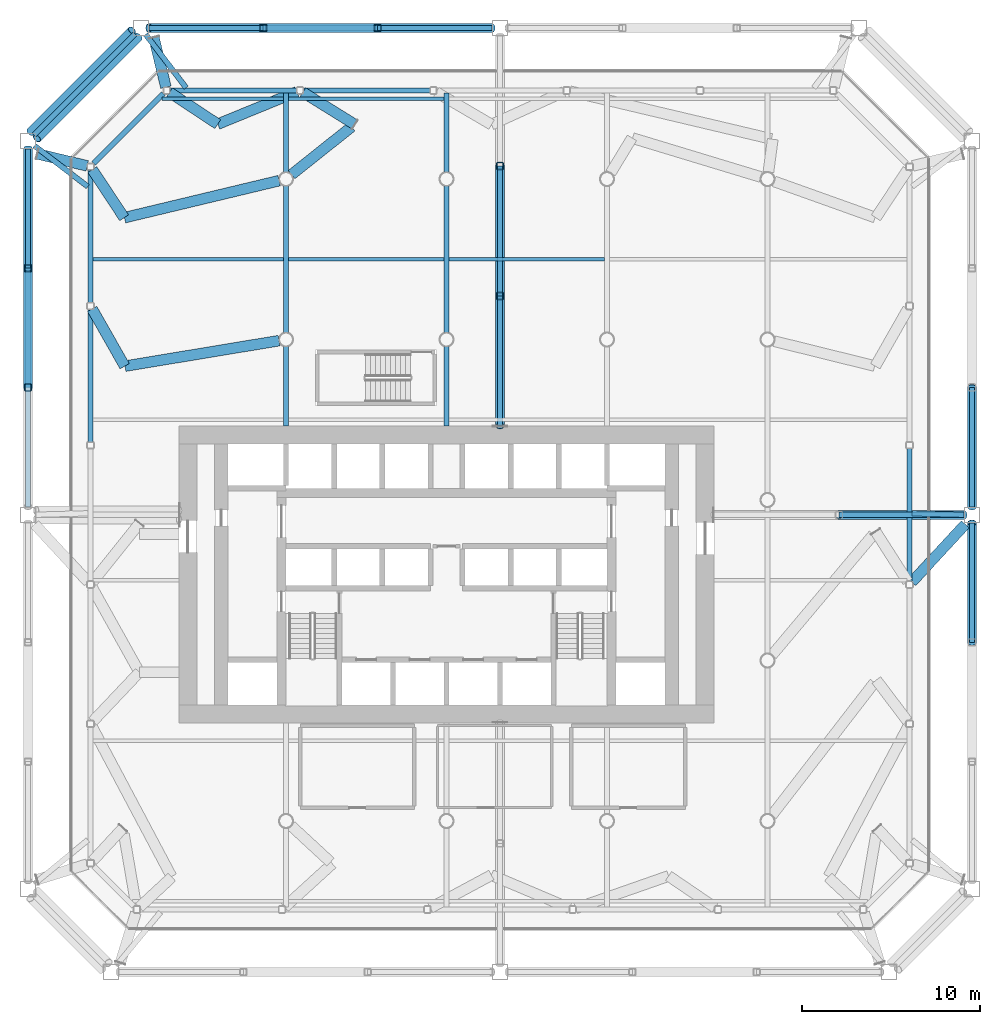
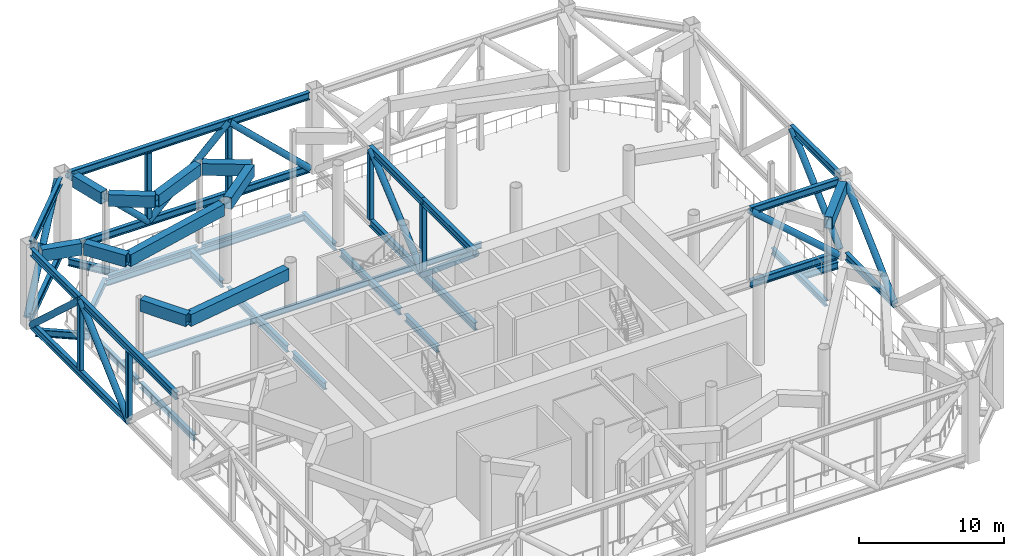
# One storey, part 5 of 20: 48 beams, 18 members.
"""IFC4 building model written with IfcOpenShell, lengths in metres."""

import ifcopenshell
import ifcopenshell.guid

model = None  # the IFC model being written
_history = None  # IfcOwnerHistory: only IFC2X3 demands one
_inside = {}  # id of a spatial element -> (the spatial element, [elements in it])
_under = {}  # id of a project, library or spatial element -> (it, [spatial elements below it])
_declared = {}  # id of a project -> (the project, [libraries it declares])
_typed = {}  # id of a type object -> (the type object, [elements of that type])
_made_of = {}  # id of a material, layer set ... -> (it, [elements and type objects made of it])


def new_model(schema):
    """Start an empty IFC model of exactly this schema.

    Asked for "IFC4X3", IfcOpenShell would pick the latest addendum, in which some entities
    have other attributes; the version numbers below select the first issue.
    IFC2X3 requires an IfcOwnerHistory on every rooted entity: one is made here for all.
    """
    global model, _history
    if schema == "IFC4X3":
        model = ifcopenshell.file(schema_version=(4, 3, 0, 0))
    else:
        model = ifcopenshell.file(schema=schema)
    _inside.clear()
    _under.clear()
    _declared.clear()
    _typed.clear()
    _made_of.clear()
    _history = None
    if model.schema == "IFC2X3":
        org = make("IfcOrganization", Name="unknown")
        user = make(
            "IfcPersonAndOrganization",
            ThePerson=make("IfcPerson", FamilyName="unknown"),
            TheOrganization=org,
        )
        app = make(
            "IfcApplication",
            ApplicationDeveloper=org,
            Version="unknown",
            ApplicationFullName="unknown",
            ApplicationIdentifier="unknown",
        )
        _history = make(
            "IfcOwnerHistory",
            OwningUser=user,
            OwningApplication=app,
            ChangeAction="ADDED",
            CreationDate=0,
        )
    return model


def make(cls, **values):
    """One entity of the class cls with the attributes given. An attribute that is None is left unset."""
    return model.create_entity(
        cls, **{name: value for name, value in values.items() if value is not None}
    )


def rooted(cls, **values):
    """An entity with a GlobalId (a new one), such as an element, a storey or a relation."""
    return make(cls, GlobalId=ifcopenshell.guid.new(), OwnerHistory=_history, **values)


def si_unit(unit_type, name, prefix=None):
    """IfcSIUnit, for example si_unit("LENGTHUNIT", "METRE", prefix="MILLI")."""
    return make("IfcSIUnit", UnitType=unit_type, Prefix=prefix, Name=name)


def assignment(units):
    """IfcUnitAssignment: the units of a project."""
    return None if units is None else make("IfcUnitAssignment", Units=units)


def point(xyz):
    """IfcCartesianPoint."""
    return None if xyz is None else make("IfcCartesianPoint", Coordinates=xyz)


def direction(xyz):
    """IfcDirection."""
    return None if xyz is None else make("IfcDirection", DirectionRatios=xyz)


def frame(location, z_axis=None, x_axis=None):
    """IfcAxis2Placement3D, a coordinate frame: its origin and axes. An axis left out is left unset."""
    return make(
        "IfcAxis2Placement3D",
        Location=point(location),
        Axis=direction(z_axis),
        RefDirection=direction(x_axis),
    )


def frame_2d(location, x_axis=None):
    """IfcAxis2Placement2D, a coordinate frame in the plane: its origin and x axis."""
    return make(
        "IfcAxis2Placement2D", Location=point(location), RefDirection=direction(x_axis)
    )


def origin():
    """The frame at (0, 0, 0) with its axes left unset."""
    return frame((0.0, 0.0, 0.0))


def origin_2d():
    """The frame at (0, 0) in the plane with its x axis left unset."""
    return frame_2d((0.0, 0.0))


def place(relative_to, where):
    """IfcLocalPlacement: puts the frame where relative to a parent placement (None: the world)."""
    return make(
        "IfcLocalPlacement", PlacementRelTo=relative_to, RelativePlacement=where
    )


def context(
    kind, dimensions, precision=None, world=None, true_north=None, identifier=None
):
    """IfcGeometricRepresentationContext, for example the 3D "Model" context."""
    return make(
        "IfcGeometricRepresentationContext",
        ContextIdentifier=identifier,
        ContextType=kind,
        CoordinateSpaceDimension=dimensions,
        Precision=precision,
        WorldCoordinateSystem=world,
        TrueNorth=true_north,
    )


def subcontext(parent, identifier, kind, view, scale=None):
    """IfcGeometricRepresentationSubContext, for example "Body" below "Model"."""
    return make(
        "IfcGeometricRepresentationSubContext",
        ContextIdentifier=identifier,
        ContextType=kind,
        ParentContext=parent,
        TargetScale=scale,
        TargetView=view,
    )


def project(units=None, contexts=None):
    """IfcProject with its units and contexts."""
    return rooted(
        "IfcProject",
        Name="project",
        RepresentationContexts=contexts,
        UnitsInContext=assignment(units),
    )


def spatial(cls, under=None, at=None, **own):
    """A site, building, storey or space (cls), placed at a placement, below another one or the project."""
    s = rooted(cls, ObjectPlacement=at, **own)
    if under is not None:
        _under.setdefault(under.id(), (under, []))[1].append(s)
    return s


def profile(cls, at=None, kind="AREA", **sizes):
    """A parametric profile (cls). Its sizes go by their IFC names, for example OverallWidth=200.0."""
    return make(cls, ProfileType=kind, Position=at, **sizes)


def hollow_rectangle(**sizes):
    """IfcRectangleHollowProfileDef."""
    return profile("IfcRectangleHollowProfileDef", **sizes)


def hollow_circle(**sizes):
    """IfcCircleHollowProfileDef."""
    return profile("IfcCircleHollowProfileDef", **sizes)


def i_section(**sizes):
    """IfcIShapeProfileDef."""
    return profile("IfcIShapeProfileDef", **sizes)


def extrude(swept, where, along, depth):
    """IfcExtrudedAreaSolid: the profile swept, set in the frame where, extruded along a direction by depth."""
    return make(
        "IfcExtrudedAreaSolid",
        SweptArea=swept,
        Position=where,
        ExtrudedDirection=direction(along),
        Depth=depth,
    )


def shape(context_of_items, identifier, shape_type, items):
    """IfcShapeRepresentation: the items that make up one representation, for example the "Body"."""
    return make(
        "IfcShapeRepresentation",
        ContextOfItems=context_of_items,
        RepresentationIdentifier=identifier,
        RepresentationType=shape_type,
        Items=items,
    )


def material(Name=None, Category=None):
    """IfcMaterial."""
    return make("IfcMaterial", Name=Name, Category=Category)


def material_profile(
    of_material, cross_section, Name=None, Category=None, Priority=None
):
    """IfcMaterialProfile: a cross section and its material."""
    return make(
        "IfcMaterialProfile",
        Name=Name,
        Material=of_material,
        Profile=cross_section,
        Priority=Priority,
        Category=Category,
    )


def profile_set(profiles, Name=None, composite=None):
    """IfcMaterialProfileSet."""
    return make(
        "IfcMaterialProfileSet",
        Name=Name,
        MaterialProfiles=profiles,
        CompositeProfile=composite,
    )


def made_of(thing, what):
    """Note that an element or type object is made of a material, layer set ...; save() writes the relation."""
    if what is not None:
        _made_of.setdefault(what.id(), (what, []))[1].append(thing)
    return thing


def type_object(cls, material=None, **own):
    """A type object (cls), such as IfcWallType, which elements share."""
    return made_of(rooted(cls, **own), material)


def element(
    cls,
    number,
    at=None,
    inside=None,
    cuts=None,
    type_object=None,
    material=None,
    context=None,
    identifier="Body",
    shape_type=None,
    held_by="IfcProductDefinitionShape",
    body=None,
    shapes=None,
    **own,
):
    """One element of the class cls, such as IfcWall. Its Tag is "e" and its number.

    at: its placement. inside: the storey or other place that contains it. cuts: it is an
    opening in that element (IfcRelVoidsElement). A single representation is given by context,
    identifier, shape_type and body (its items); several are given by shapes. held_by: the class
    of the entity that holds the representations. save() writes the other relations.
    """
    e = rooted(cls, Tag="e%d" % number, ObjectPlacement=at, **own)
    if body is not None:
        shapes = [shape(context, identifier, shape_type, body)]
    if shapes is not None:
        e.Representation = make(held_by, Representations=shapes)
    if inside is not None:
        _inside.setdefault(inside.id(), (inside, []))[1].append(e)
    if cuts is not None:
        rooted(
            "IfcRelVoidsElement", RelatingBuildingElement=cuts, RelatedOpeningElement=e
        )
    if type_object is not None:
        _typed.setdefault(type_object.id(), (type_object, []))[1].append(e)
    return made_of(e, material)


def aggregate(whole, parts):
    """IfcRelAggregates: a whole, such as a stair, and the parts it consists of."""
    return rooted("IfcRelAggregates", RelatingObject=whole, RelatedObjects=parts)


def save(model, path):
    """Write the relations noted so far, then the file.

    IfcRelAggregates (storeys below a building ...), IfcRelContainedInSpatialStructure (elements
    in a storey), IfcRelDefinesByType, IfcRelAssociatesMaterial and IfcRelDeclares: one each for
    every whole, place, type object, material and project.
    """
    for whole, parts in _under.values():
        aggregate(whole, parts)
    for where, things in _inside.values():
        rooted(
            "IfcRelContainedInSpatialStructure",
            RelatedElements=things,
            RelatingStructure=where,
        )
    for kind, things in _typed.values():
        rooted("IfcRelDefinesByType", RelatedObjects=things, RelatingType=kind)
    for what, things in _made_of.values():
        rooted("IfcRelAssociatesMaterial", RelatedObjects=things, RelatingMaterial=what)
    for by, libraries in _declared.values():
        rooted("IfcRelDeclares", RelatingContext=by, RelatedDefinitions=libraries)
    model.write(path)


model = new_model("IFC4")

# Units and contexts
model_context = context("Model", 3, precision=1e-05, world=origin(), true_north=direction((0.0, 1.0)))
body_context = subcontext(model_context, "Body", "Model", "MODEL_VIEW")
ifc_project = project(units=[si_unit("LENGTHUNIT", "METRE"), si_unit("AREAUNIT", "SQUARE_METRE"), si_unit("VOLUMEUNIT", "CUBIC_METRE"), si_unit("PLANEANGLEUNIT", "RADIAN"), si_unit("MASSUNIT", "GRAM", prefix="KILO")], contexts=[model_context])

# Site, building, storey
site_placement = place(None, origin())
site = spatial("IfcSite", under=ifc_project, at=site_placement, CompositionType="ELEMENT")
building_placement = place(site_placement, origin())
building = spatial("IfcBuilding", under=site, at=building_placement, Name="Tskaro Facet Tower", CompositionType="ELEMENT")
storey_placement = place(building_placement, frame((0.0, 0.0, 114.300048828125)))
storey = spatial("IfcBuildingStorey", under=building, at=storey_placement, Name="L27", CompositionType="ELEMENT", Elevation=114.300048828125)

# Beams
ifc_material_1 = material(Name="Steel S355J2", Category="steel")
ifc_material_profile_1 = material_profile(ifc_material_1, hollow_rectangle(XDim=0.60009765625, YDim=1.0, WallThickness=0.0400390625, at=origin_2d()), Name="BOX 600x1000x40")
ifc_profile_set_1 = profile_set([ifc_material_profile_1], Name="Steel S355J2")
beam_type_1 = type_object("IfcBeamType", Name="BOX 600x1000x40 transfer girder", PredefinedType="BEAM", material=ifc_profile_set_1)
beam_1_placement = place(storey_placement, frame((29.093505859375, -1.360595703125, 6.280029296875), z_axis=(-0.679129108796, -0.734018837351, 0.0), x_axis=(0.734018837351, -0.679129108796, 0.0)))
element("IfcBeam", 1, at=beam_1_placement, inside=storey, type_object=beam_type_1, Name="BOX 600x1000x40 TG3-1", PredefinedType="BEAM", context=body_context, shape_type="SweptSolid", body=[
    extrude(hollow_rectangle(XDim=0.60009765625, YDim=1.0, WallThickness=0.0400390625, at=origin_2d()), origin(), (0.0, 0.0, 1.0), 4.416748046875),
])
for number, where, z_axis, x_axis, name in (
    (2, (-16.408447265625, 25.932373046875, 6.280029296875), (0.235346203287, -0.971911603284, 0.0), (0.971911603284, 0.235346203287, 0.0), "BOX 600x1000x40 TG3-9"),
    (3, (-22.932373046875, 19.408447265625, 6.280029296875), (0.971911603284, -0.235346203287, 0.0), (0.235346203287, 0.971911603284, 0.0), "BOX 600x1000x40 TG3-10"),
):
    element("IfcBeam", number, at=place(storey_placement, frame(where, z_axis=z_axis, x_axis=x_axis)), inside=storey, type_object=beam_type_1, Name=name, PredefinedType="BEAM", context=body_context, shape_type="SweptSolid", body=[
        extrude(hollow_rectangle(XDim=0.60009765625, YDim=1.0, WallThickness=0.0400390625, at=origin_2d()), origin(), (0.0, 0.0, 1.0), 2.863037109375),
    ])
beam_2_placement = place(storey_placement, frame((-12.8271484375, 21.076904296875, 6.280029296875), z_axis=(-0.834811001219, 0.550536640237, 0.0), x_axis=(-0.550536640237, -0.834811001219, 0.0)))
element("IfcBeam", 4, at=beam_2_placement, inside=storey, type_object=beam_type_1, Name="BOX 600x1000x40 TG3-32", PredefinedType="BEAM", context=body_context, shape_type="SweptSolid", body=[
    extrude(hollow_rectangle(XDim=0.60009765625, YDim=1.0, WallThickness=0.0400390625, at=origin_2d()), origin(), (0.0, 0.0, 1.0), 3.239501953125),
])
beam_3_placement = place(storey_placement, frame((-12.8271484375, 21.076904296875, 6.280029296875), z_axis=(0.9254796184, 0.378797407498, 0.0), x_axis=(-0.378797407498, 0.9254796184, 0.0)))
element("IfcBeam", 5, at=beam_3_placement, inside=storey, type_object=beam_type_1, Name="BOX 600x1000x40 TG3-33", PredefinedType="BEAM", context=body_context, shape_type="SweptSolid", body=[
    extrude(hollow_rectangle(XDim=0.60009765625, YDim=1.0, WallThickness=0.0400390625, at=origin_2d()), origin(), (0.0, 0.0, 1.0), 4.79443359375),
])
beam_4_placement = place(storey_placement, frame((-18.076904296875, 15.8271484375, 6.280029296875), z_axis=(-0.550536640237, 0.834811001219, 0.0), x_axis=(-0.834811001219, -0.550536640237, 0.0)))
element("IfcBeam", 6, at=beam_4_placement, inside=storey, type_object=beam_type_1, Name="BOX 600x1000x40 TG3-36", PredefinedType="BEAM", context=body_context, shape_type="SweptSolid", body=[
    extrude(hollow_rectangle(XDim=0.60009765625, YDim=1.0, WallThickness=0.0400390625, at=origin_2d()), origin(), (0.0, 0.0, 1.0), 3.239501953125),
])
beam_5_placement = place(storey_placement, frame((-18.057373046875, 15.831787109375, 6.280029296875), z_axis=(0.972522586339, 0.232808545936, 0.0), x_axis=(-0.232808545936, 0.972522586339, 0.0)))
element("IfcBeam", 7, at=beam_5_placement, inside=storey, type_object=beam_type_1, Name="BOX 600x1000x40 TG3-37", PredefinedType="BEAM", context=body_context, shape_type="SweptSolid", body=[
    extrude(hollow_rectangle(XDim=0.60009765625, YDim=1.0, WallThickness=0.0400390625, at=origin_2d()), origin(), (0.0, 0.0, 1.0), 8.9169921875),
])
beam_6_placement = place(storey_placement, frame((-5.1513671875, 21.06396484375, 6.280029296875), z_axis=(-0.849629118871, 0.527380659833, 0.0), x_axis=(-0.527380659833, -0.849629118871, 0.0)))
element("IfcBeam", 8, at=beam_6_placement, inside=storey, type_object=beam_type_1, Name="BOX 600x1000x40 TG3-46", PredefinedType="BEAM", context=body_context, shape_type="SweptSolid", body=[
    extrude(hollow_rectangle(XDim=0.60009765625, YDim=1.0, WallThickness=0.0400390625, at=origin_2d()), origin(), (0.0, 0.0, 1.0), 3.41455078125),
])
beam_7_placement = place(storey_placement, frame((-5.323486328125, 20.927001953125, 6.280029296875), z_axis=(-0.782339020757, -0.622852837034, 0.0), x_axis=(0.622852837034, -0.782339020757, 0.0)))
element("IfcBeam", 9, at=beam_7_placement, inside=storey, type_object=beam_type_1, Name="BOX 600x1000x40 TG3-47", PredefinedType="BEAM", context=body_context, shape_type="SweptSolid", body=[
    extrude(hollow_rectangle(XDim=0.60009765625, YDim=1.0, WallThickness=0.0400390625, at=origin_2d()), origin(), (0.0, 0.0, 1.0), 4.302978515625),
])
beam_8_placement = place(storey_placement, frame((-18.0458984375, 7.504150390625, 6.280029296875), z_axis=(-0.494314960555, 0.869282876728, 0.0), x_axis=(-0.869282876728, -0.494314960555, 0.0)))
element("IfcBeam", 10, at=beam_8_placement, inside=storey, type_object=beam_type_1, Name="BOX 600x1000x40 TG3-50", PredefinedType="BEAM", context=body_context, shape_type="SweptSolid", body=[
    extrude(hollow_rectangle(XDim=0.60009765625, YDim=1.0, WallThickness=0.0400390625, at=origin_2d()), origin(), (0.0, 0.0, 1.0), 3.6923828125),
])
beam_9_placement = place(storey_placement, frame((-18.026123046875, 7.50732421875, 6.280029296875), z_axis=(0.986600463426, 0.163154912793, 0.0), x_axis=(-0.163154912793, 0.986600463426, 0.0)))
element("IfcBeam", 11, at=beam_9_placement, inside=storey, type_object=beam_type_1, Name="BOX 600x1000x40 TG3-51", PredefinedType="BEAM", context=body_context, shape_type="SweptSolid", body=[
    extrude(hollow_rectangle(XDim=0.60009765625, YDim=1.0, WallThickness=0.0400390625, at=origin_2d()), origin(), (0.0, 0.0, 1.0), 8.752197265625),
])

# Members
ifc_material_2 = material(Name="Steel S355J2H", Category="steel")
ifc_material_profile_2 = material_profile(ifc_material_2, hollow_circle(Radius=0.25390625, WallThickness=0.02490234375, at=origin_2d()), Name="CHS 508x25")
ifc_profile_set_2 = profile_set([ifc_material_profile_2], Name="Steel S355J2H")
member_type_1 = type_object("IfcMemberType", Name="CHS 508x25 belt diagonal", PredefinedType="BRACE", material=ifc_profile_set_2)
for number, where, z_axis, x_axis, name in (
    (12, (29.467041015625, -7.979736328125, 0.31005859375), (0.0, 0.735783347307, 0.677217000544), (-1.0, 0.0, 0.0), "CHS 508x25 BD2-043"),
    (13, (29.467041015625, -0.386962890625, 0.31005859375), (0.0, 0.735783347307, 0.677217000544), (-1.0, 0.0, 0.0), "CHS 508x25 BD2-051"),
):
    element("IfcMember", number, at=place(storey_placement, frame(where, z_axis=z_axis, x_axis=x_axis)), inside=storey, type_object=member_type_1, Name=name, PredefinedType="BRACE", context=body_context, shape_type="SweptSolid", body=[
        extrude(hollow_circle(Radius=0.25390625, WallThickness=0.02490234375, at=origin_2d()), origin(), (0.0, 0.0, 1.0), 9.095947265625),
    ])
member_1_placement = place(storey_placement, frame((2.550048828125, 26.467041015625, 0.31005859375), z_axis=(-0.721238628738, 0.0, 0.692686682719), x_axis=(0.0, -1.0, 0.0)))
element("IfcMember", 14, at=member_1_placement, inside=storey, type_object=member_type_1, Name="CHS 508x25 BD2-081", PredefinedType="BRACE", context=body_context, shape_type="SweptSolid", body=[
    extrude(hollow_circle(Radius=0.25390625, WallThickness=0.02490234375, at=origin_2d()), origin(), (0.0, 0.0, 1.0), 8.892822265625),
])
for number, where, z_axis, x_axis, name in (
    (15, (-3.86376953125, 26.467041015625, 6.469970703125), (-0.721225455609, 0.0, -0.692700398572), (0.0, -1.0, 0.0), "CHS 508x25 BD2-082"),
    (16, (-10.27734375, 26.467041015625, 0.31005859375), (-0.721225455609, 0.0, 0.692700398572), (0.0, -1.0, 0.0), "CHS 508x25 BD2-083"),
):
    element("IfcMember", number, at=place(storey_placement, frame(where, z_axis=z_axis, x_axis=x_axis)), inside=storey, type_object=member_type_1, Name=name, PredefinedType="BRACE", context=body_context, shape_type="SweptSolid", body=[
        extrude(hollow_circle(Radius=0.25390625, WallThickness=0.02490234375, at=origin_2d()), origin(), (0.0, 0.0, 1.0), 8.892578125),
    ])
member_2_placement = place(storey_placement, frame((-17.279541015625, 25.96923828125, 0.31005859375), z_axis=(-0.561468566945, -0.561468566945, 0.607870131414), x_axis=(0.707106781187, -0.707106781187, 0.0)))
element("IfcMember", 17, at=member_2_placement, inside=storey, type_object=member_type_1, Name="CHS 508x25 BD2-091", PredefinedType="BRACE", context=body_context, shape_type="SweptSolid", body=[
    extrude(hollow_circle(Radius=0.25390625, WallThickness=0.02490234375, at=origin_2d()), origin(), (0.0, 0.0, 1.0), 10.133544921875),
])
member_3_placement = place(storey_placement, frame((-17.638916015625, 26.328369140625, 6.469970703125), z_axis=(-0.561459664372, -0.561459664372, -0.607886577058), x_axis=(0.707106781187, -0.707106781187, 0.0)))
element("IfcMember", 18, at=member_3_placement, inside=storey, type_object=member_type_1, Name="CHS 508x25 BD2-092", PredefinedType="BRACE", context=body_context, shape_type="SweptSolid", body=[
    extrude(hollow_circle(Radius=0.25390625, WallThickness=0.02490234375, at=origin_2d()), origin(), (0.0, 0.0, 1.0), 10.13330078125),
])
for number, where, z_axis, x_axis, name in (
    (19, (-23.467041015625, 19.69091796875, 0.31005859375), (0.0, -0.735783347307, 0.677217000544), (1.0, 0.0, 0.0), "CHS 508x25 BD2-101"),
    (20, (-23.467041015625, 12.998291015625, 6.469970703125), (0.0, -0.735783347307, -0.677217000544), (1.0, 0.0, 0.0), "CHS 508x25 BD2-102"),
):
    element("IfcMember", number, at=place(storey_placement, frame(where, z_axis=z_axis, x_axis=x_axis)), inside=storey, type_object=member_type_1, Name=name, PredefinedType="BRACE", context=body_context, shape_type="SweptSolid", body=[
        extrude(hollow_circle(Radius=0.25390625, WallThickness=0.02490234375, at=origin_2d()), origin(), (0.0, 0.0, 1.0), 9.095947265625),
    ])
ifc_material_profile_3 = material_profile(ifc_material_2, hollow_circle(Radius=0.25390625, WallThickness=0.02490234375, at=origin_2d()), Name="CHS 508x25")
ifc_profile_set_3 = profile_set([ifc_material_profile_3], Name="Steel S355J2H")
member_type_2 = type_object("IfcMemberType", Name="CHS 508x25 outrigger truss diagonal", PredefinedType="BRACE", material=ifc_profile_set_3)
member_4_placement = place(storey_placement, frame((29.01708984375, -0.8369140625, 0.31005859375), z_axis=(-0.751117718248, 0.0, 0.660168291675), x_axis=(0.0, -1.0, 0.0)))
element("IfcMember", 21, at=member_4_placement, inside=storey, type_object=member_type_2, Name="Outrigger truss diagonal OR2E-D1", PredefinedType="BRACE", context=body_context, shape_type="SweptSolid", body=[
    extrude(hollow_circle(Radius=0.25390625, WallThickness=0.02490234375, at=origin_2d()), origin(), (0.0, 0.0, 1.0), 9.330810546875),
])
for number, where, z_axis, x_axis, name in (
    (22, (3.0, 18.72802734375, 6.469970703125), (0.0, -0.763786899324, -0.64546849065), (1.0, 0.0, 0.0), "Outrigger truss diagonal OR2N-D2"),
    (23, (3.0, 11.43896484375, 0.31005859375), (0.0, -0.763786899324, 0.64546849065), (1.0, 0.0, 0.0), "Outrigger truss diagonal OR2N-D3"),
):
    element("IfcMember", number, at=place(storey_placement, frame(where, z_axis=z_axis, x_axis=x_axis)), inside=storey, type_object=member_type_2, Name=name, PredefinedType="BRACE", context=body_context, shape_type="SweptSolid", body=[
        extrude(hollow_circle(Radius=0.25390625, WallThickness=0.02490234375, at=origin_2d()), origin(), (0.0, 0.0, 1.0), 9.543212890625),
    ])

# Beams
ifc_material_profile_4 = material_profile(ifc_material_1, i_section(OverallWidth=0.300048828125, OverallDepth=0.5, WebThickness=0.014404296875, FlangeThickness=0.028076171875, FilletRadius=0.027099609375, at=origin_2d()), Name="HE 500 B")
ifc_profile_set_4 = profile_set([ifc_material_profile_4], Name="Steel S355J2")
beam_type_2 = type_object("IfcBeamType", Name="HE 500 B ring beam", PredefinedType="BEAM", material=ifc_profile_set_4)
beam_10_placement = place(storey_placement, frame((25.965087890625, -4.56201171875, -0.5), z_axis=(0.0, 1.0, 0.0), x_axis=(-1.0, 0.0, 0.0)))
element("IfcBeam", 24, at=beam_10_placement, inside=storey, type_object=beam_type_2, Name="HE 500 B EB9-2", PredefinedType="BEAM", context=body_context, shape_type="SweptSolid", body=[
    extrude(i_section(OverallWidth=0.300048828125, OverallDepth=0.5, WebThickness=0.014404296875, FlangeThickness=0.028076171875, FilletRadius=0.027099609375, at=origin_2d()), origin(), (0.0, 0.0, 1.0), 7.449951171875),
])
for number, where, z_axis, x_axis, name in (
    (25, (-0.91796875, 22.965087890625, -0.5), (-1.0, 0.0, 0.0), (0.0, -1.0, 0.0), "HE 500 B EB16-2"),
    (26, (-8.39404296875, 22.965087890625, -0.5), (-1.0, 0.0, 0.0), (0.0, -1.0, 0.0), "HE 500 B EB17-2"),
):
    element("IfcBeam", number, at=place(storey_placement, frame(where, z_axis=z_axis, x_axis=x_axis)), inside=storey, type_object=beam_type_2, Name=name, PredefinedType="BEAM", context=body_context, shape_type="SweptSolid", body=[
        extrude(i_section(OverallWidth=0.300048828125, OverallDepth=0.5, WebThickness=0.014404296875, FlangeThickness=0.028076171875, FilletRadius=0.027099609375, at=origin_2d()), origin(), (0.0, 0.0, 1.0), 7.115966796875),
    ])
beam_11_placement = place(storey_placement, frame((-15.8759765625, 22.779052734375, -0.5), z_axis=(-0.707106781187, -0.707106781187, 0.0), x_axis=(0.707106781187, -0.707106781187, 0.0)))
element("IfcBeam", 27, at=beam_11_placement, inside=storey, type_object=beam_type_2, Name="HE 500 B EB18-2", PredefinedType="BEAM", context=body_context, shape_type="SweptSolid", body=[
    extrude(i_section(OverallWidth=0.300048828125, OverallDepth=0.5, WebThickness=0.014404296875, FlangeThickness=0.028076171875, FilletRadius=0.027099609375, at=origin_2d()), origin(), (0.0, 0.0, 1.0), 5.519775390625),
])
for number, where, z_axis, x_axis, name in (
    (28, (-19.965087890625, 18.510009765625, -0.5), (0.0, -1.0, 0.0), (1.0, 0.0, 0.0), "HE 500 B EB19-2"),
    (29, (-19.965087890625, 10.698974609375, -0.5), (0.0, -1.0, 0.0), (1.0, 0.0, 0.0), "HE 500 B EB20-2"),
):
    element("IfcBeam", number, at=place(storey_placement, frame(where, z_axis=z_axis, x_axis=x_axis)), inside=storey, type_object=beam_type_2, Name=name, PredefinedType="BEAM", context=body_context, shape_type="SweptSolid", body=[
        extrude(i_section(OverallWidth=0.300048828125, OverallDepth=0.5, WebThickness=0.014404296875, FlangeThickness=0.028076171875, FilletRadius=0.027099609375, at=origin_2d()), origin(), (0.0, 0.0, 1.0), 7.450927734375),
    ])
ifc_material_profile_5 = material_profile(ifc_material_1, i_section(OverallWidth=0.300048828125, OverallDepth=0.590087890625, WebThickness=0.012939453125, FlangeThickness=0.02490234375, FilletRadius=0.027099609375, at=origin_2d()), Name="HE 600 A")
ifc_profile_set_5 = profile_set([ifc_material_profile_5], Name="Steel S355J2")
beam_type_3 = type_object("IfcBeamType", Name="HE 600 A girder", PredefinedType="BEAM", material=ifc_profile_set_5)
beam_12_placement = place(storey_placement, frame((-9.0, 4.14990234375, -0.545166015625), z_axis=(0.0, 1.0, 0.0), x_axis=(-1.0, 0.0, 0.0)))
element("IfcBeam", 30, at=beam_12_placement, inside=storey, type_object=beam_type_3, Name="HE 600 A GB3-3-2", PredefinedType="BEAM", context=body_context, shape_type="SweptSolid", body=[
    extrude(i_section(OverallWidth=0.300048828125, OverallDepth=0.590087890625, WebThickness=0.012939453125, FlangeThickness=0.02490234375, FilletRadius=0.027099609375, at=origin_2d()), origin(), (0.0, 0.0, 1.0), 4.4736328125),
])
beam_13_placement = place(storey_placement, frame((-9.0, 9.37646484375, -0.545166015625), z_axis=(0.0, 1.0, 0.0), x_axis=(-1.0, 0.0, 0.0)))
element("IfcBeam", 31, at=beam_13_placement, inside=storey, type_object=beam_type_3, Name="HE 600 A GB3-4-2", PredefinedType="BEAM", context=body_context, shape_type="SweptSolid", body=[
    extrude(i_section(OverallWidth=0.300048828125, OverallDepth=0.590087890625, WebThickness=0.012939453125, FlangeThickness=0.02490234375, FilletRadius=0.027099609375, at=origin_2d()), origin(), (0.0, 0.0, 1.0), 8.2470703125),
])
beam_14_placement = place(storey_placement, frame((-9.0, 18.37646484375, -0.545166015625), z_axis=(0.0, 1.0, 0.0), x_axis=(-1.0, 0.0, 0.0)))
element("IfcBeam", 32, at=beam_14_placement, inside=storey, type_object=beam_type_3, Name="HE 600 A GB3-5-2", PredefinedType="BEAM", context=body_context, shape_type="SweptSolid", body=[
    extrude(i_section(OverallWidth=0.300048828125, OverallDepth=0.590087890625, WebThickness=0.012939453125, FlangeThickness=0.02490234375, FilletRadius=0.027099609375, at=origin_2d()), origin(), (0.0, 0.0, 1.0), 4.4384765625),
])
beam_15_placement = place(storey_placement, frame((0.0, 4.14990234375, -0.545166015625), z_axis=(0.0, 1.0, 0.0), x_axis=(-1.0, 0.0, 0.0)))
element("IfcBeam", 33, at=beam_15_placement, inside=storey, type_object=beam_type_3, Name="HE 600 A GB4-3-2", PredefinedType="BEAM", context=body_context, shape_type="SweptSolid", body=[
    extrude(i_section(OverallWidth=0.300048828125, OverallDepth=0.590087890625, WebThickness=0.012939453125, FlangeThickness=0.02490234375, FilletRadius=0.027099609375, at=origin_2d()), origin(), (0.0, 0.0, 1.0), 4.4736328125),
])
beam_16_placement = place(storey_placement, frame((0.0, 9.37646484375, -0.545166015625), z_axis=(0.0, 1.0, 0.0), x_axis=(-1.0, 0.0, 0.0)))
element("IfcBeam", 34, at=beam_16_placement, inside=storey, type_object=beam_type_3, Name="HE 600 A GB4-4-2", PredefinedType="BEAM", context=body_context, shape_type="SweptSolid", body=[
    extrude(i_section(OverallWidth=0.300048828125, OverallDepth=0.590087890625, WebThickness=0.012939453125, FlangeThickness=0.02490234375, FilletRadius=0.027099609375, at=origin_2d()), origin(), (0.0, 0.0, 1.0), 8.2470703125),
])
beam_17_placement = place(storey_placement, frame((0.0, 18.37646484375, -0.545166015625), z_axis=(0.0, 1.0, 0.0), x_axis=(-1.0, 0.0, 0.0)))
element("IfcBeam", 35, at=beam_17_placement, inside=storey, type_object=beam_type_3, Name="HE 600 A GB4-5-2", PredefinedType="BEAM", context=body_context, shape_type="SweptSolid", body=[
    extrude(i_section(OverallWidth=0.300048828125, OverallDepth=0.590087890625, WebThickness=0.012939453125, FlangeThickness=0.02490234375, FilletRadius=0.027099609375, at=origin_2d()), origin(), (0.0, 0.0, 1.0), 4.4384765625),
])
ifc_material_profile_6 = material_profile(ifc_material_1, i_section(OverallWidth=0.300048828125, OverallDepth=0.60009765625, WebThickness=0.015380859375, FlangeThickness=0.030029296875, FilletRadius=0.027099609375, at=origin_2d()), Name="HE 600 B")
ifc_profile_set_6 = profile_set([ifc_material_profile_6], Name="Steel S355J2")
beam_type_4 = type_object("IfcBeamType", Name="HE 600 B floor strut", PredefinedType="BEAM", material=ifc_profile_set_6)
beam_18_placement = place(storey_placement, frame((29.01708984375, -0.82470703125, -0.550048828125), z_axis=(-0.999633310652, 0.027078482883, 0.0), x_axis=(-0.027078482883, -0.999633310652, 0.0)))
element("IfcBeam", 36, at=beam_18_placement, inside=storey, type_object=beam_type_4, Name="HE 600 B ES2-05", PredefinedType="BEAM", context=body_context, shape_type="SweptSolid", body=[
    extrude(i_section(OverallWidth=0.300048828125, OverallDepth=0.60009765625, WebThickness=0.015380859375, FlangeThickness=0.030029296875, FilletRadius=0.027099609375, at=origin_2d()), origin(), (0.0, 0.0, 1.0), 2.903076171875),
])
beam_19_placement = place(storey_placement, frame((-16.869384765625, 26.1083984375, -0.550048828125), z_axis=(0.603872707573, -0.797080769464, 0.0), x_axis=(0.797080769464, 0.603872707573, 0.0)))
element("IfcBeam", 37, at=beam_19_placement, inside=storey, type_object=beam_type_4, Name="HE 600 B ES2-09", PredefinedType="BEAM", context=body_context, shape_type="SweptSolid", body=[
    extrude(i_section(OverallWidth=0.300048828125, OverallDepth=0.60009765625, WebThickness=0.015380859375, FlangeThickness=0.030029296875, FilletRadius=0.027099609375, at=origin_2d()), origin(), (0.0, 0.0, 1.0), 3.75537109375),
])
beam_20_placement = place(storey_placement, frame((-23.109619140625, 19.867431640625, -0.550048828125), z_axis=(0.794072927942, -0.607822494738, 0.0), x_axis=(0.607822494738, 0.794072927942, 0.0)))
element("IfcBeam", 38, at=beam_20_placement, inside=storey, type_object=beam_type_4, Name="HE 600 B ES2-10", PredefinedType="BEAM", context=body_context, shape_type="SweptSolid", body=[
    extrude(i_section(OverallWidth=0.300048828125, OverallDepth=0.60009765625, WebThickness=0.015380859375, FlangeThickness=0.030029296875, FilletRadius=0.027099609375, at=origin_2d()), origin(), (0.0, 0.0, 1.0), 3.771240234375),
])
ifc_material_profile_7 = material_profile(ifc_material_1, i_section(OverallWidth=0.304931640625, OverallDepth=0.6201171875, WebThickness=0.02099609375, FlangeThickness=0.0400390625, FilletRadius=0.027099609375, at=origin_2d()), Name="HE 600 M")
ifc_profile_set_7 = profile_set([ifc_material_profile_7], Name="Steel S355J2")
beam_type_5 = type_object("IfcBeamType", Name="HE 600 M belt chord", PredefinedType="BEAM", material=ifc_profile_set_7)
for number, where, z_axis, x_axis, name in (
    (39, (29.467041015625, -7.979736328125, 0.31005859375), (0.0, 1.0, 0.0), (-1.0, 0.0, 0.0), "HE 600 M BT2-04B2"),
    (40, (29.467041015625, -0.386962890625, 6.469970703125), (0.0, 1.0, 0.0), (-1.0, 0.0, 0.0), "HE 600 M BT2-05T1"),
):
    element("IfcBeam", number, at=place(storey_placement, frame(where, z_axis=z_axis, x_axis=x_axis)), inside=storey, type_object=beam_type_5, Name=name, PredefinedType="BEAM", context=body_context, shape_type="SweptSolid", body=[
        extrude(i_section(OverallWidth=0.304931640625, OverallDepth=0.6201171875, WebThickness=0.02099609375, FlangeThickness=0.0400390625, FilletRadius=0.027099609375, at=origin_2d()), origin(), (0.0, 0.0, 1.0), 6.692626953125),
    ])
beam_21_placement = place(storey_placement, frame((2.550048828125, 26.467041015625, 6.469970703125), z_axis=(-1.0, 0.0, 0.0), x_axis=(0.0, -1.0, 0.0)))
element("IfcBeam", 41, at=beam_21_placement, inside=storey, type_object=beam_type_5, Name="HE 600 M BT2-08T1", PredefinedType="BEAM", context=body_context, shape_type="SweptSolid", body=[
    extrude(i_section(OverallWidth=0.304931640625, OverallDepth=0.6201171875, WebThickness=0.02099609375, FlangeThickness=0.0400390625, FilletRadius=0.027099609375, at=origin_2d()), origin(), (0.0, 0.0, 1.0), 6.413818359375),
])
beam_22_placement = place(storey_placement, frame((-3.86376953125, 26.467041015625, 6.469970703125), z_axis=(-1.0, 0.0, 0.0), x_axis=(0.0, -1.0, 0.0)))
element("IfcBeam", 42, at=beam_22_placement, inside=storey, type_object=beam_type_5, Name="HE 600 M BT2-08T2", PredefinedType="BEAM", context=body_context, shape_type="SweptSolid", body=[
    extrude(i_section(OverallWidth=0.304931640625, OverallDepth=0.6201171875, WebThickness=0.02099609375, FlangeThickness=0.0400390625, FilletRadius=0.027099609375, at=origin_2d()), origin(), (0.0, 0.0, 1.0), 12.8271484375),
])
beam_23_placement = place(storey_placement, frame((2.550048828125, 26.467041015625, 0.31005859375), z_axis=(-1.0, 0.0, 0.0), x_axis=(0.0, -1.0, 0.0)))
element("IfcBeam", 43, at=beam_23_placement, inside=storey, type_object=beam_type_5, Name="HE 600 M BT2-08B1", PredefinedType="BEAM", context=body_context, shape_type="SweptSolid", body=[
    extrude(i_section(OverallWidth=0.304931640625, OverallDepth=0.6201171875, WebThickness=0.02099609375, FlangeThickness=0.0400390625, FilletRadius=0.027099609375, at=origin_2d()), origin(), (0.0, 0.0, 1.0), 12.827392578125),
])
beam_24_placement = place(storey_placement, frame((-10.27734375, 26.467041015625, 0.31005859375), z_axis=(-1.0, 0.0, 0.0), x_axis=(0.0, -1.0, 0.0)))
element("IfcBeam", 44, at=beam_24_placement, inside=storey, type_object=beam_type_5, Name="HE 600 M BT2-08B2", PredefinedType="BEAM", context=body_context, shape_type="SweptSolid", body=[
    extrude(i_section(OverallWidth=0.304931640625, OverallDepth=0.6201171875, WebThickness=0.02099609375, FlangeThickness=0.0400390625, FilletRadius=0.027099609375, at=origin_2d()), origin(), (0.0, 0.0, 1.0), 6.41357421875),
])
for number, where, z_axis, x_axis, name in (
    (45, (-17.459228515625, 26.148681640625, 6.469970703125), (-0.707106781187, -0.707106781187, 0.0), (0.707106781187, -0.707106781187, 0.0), "HE 600 M BT2-09T1"),
    (46, (-17.459228515625, 26.148681640625, 0.31005859375), (-0.707106781187, -0.707106781187, 0.0), (0.707106781187, -0.707106781187, 0.0), "HE 600 M BT2-09B1"),
):
    element("IfcBeam", number, at=place(storey_placement, frame(where, z_axis=z_axis, x_axis=x_axis)), inside=storey, type_object=beam_type_5, Name=name, PredefinedType="BEAM", context=body_context, shape_type="SweptSolid", body=[
        extrude(i_section(OverallWidth=0.304931640625, OverallDepth=0.6201171875, WebThickness=0.02099609375, FlangeThickness=0.0400390625, FilletRadius=0.027099609375, at=origin_2d()), origin(), (0.0, 0.0, 1.0), 8.046142578125),
    ])
beam_25_placement = place(storey_placement, frame((-23.467041015625, 19.69091796875, 6.469970703125), z_axis=(0.0, -1.0, 0.0), x_axis=(1.0, 0.0, 0.0)))
element("IfcBeam", 47, at=beam_25_placement, inside=storey, type_object=beam_type_5, Name="HE 600 M BT2-10T1", PredefinedType="BEAM", context=body_context, shape_type="SweptSolid", body=[
    extrude(i_section(OverallWidth=0.304931640625, OverallDepth=0.6201171875, WebThickness=0.02099609375, FlangeThickness=0.0400390625, FilletRadius=0.027099609375, at=origin_2d()), origin(), (0.0, 0.0, 1.0), 6.692626953125),
])
for number, where, z_axis, x_axis, name in (
    (48, (-23.467041015625, 12.998291015625, 6.469970703125), (0.0, -1.0, 0.0), (1.0, 0.0, 0.0), "HE 600 M BT2-10T2"),
    (49, (-23.467041015625, 19.69091796875, 0.31005859375), (0.0, -1.0, 0.0), (1.0, 0.0, 0.0), "HE 600 M BT2-10B1"),
):
    element("IfcBeam", number, at=place(storey_placement, frame(where, z_axis=z_axis, x_axis=x_axis)), inside=storey, type_object=beam_type_5, Name=name, PredefinedType="BEAM", context=body_context, shape_type="SweptSolid", body=[
        extrude(i_section(OverallWidth=0.304931640625, OverallDepth=0.6201171875, WebThickness=0.02099609375, FlangeThickness=0.0400390625, FilletRadius=0.027099609375, at=origin_2d()), origin(), (0.0, 0.0, 1.0), 13.38525390625),
    ])
ifc_material_profile_8 = material_profile(ifc_material_1, i_section(OverallWidth=0.304931640625, OverallDepth=0.6201171875, WebThickness=0.02099609375, FlangeThickness=0.0400390625, FilletRadius=0.027099609375, at=origin_2d()), Name="HE 600 M")
ifc_profile_set_8 = profile_set([ifc_material_profile_8], Name="Steel S355J2")
beam_type_6 = type_object("IfcBeamType", Name="HE 600 M outrigger truss chord", PredefinedType="BEAM", material=ifc_profile_set_8)
for number, where, z_axis, x_axis, name in (
    (50, (29.01708984375, -0.8369140625, 6.469970703125), (-1.0, 0.0, 0.0), (0.0, -1.0, 0.0), "Outrigger truss chord OR2E-T1"),
    (51, (29.01708984375, -0.8369140625, 0.31005859375), (-1.0, 0.0, 0.0), (0.0, -1.0, 0.0), "Outrigger truss chord OR2E-B1"),
):
    element("IfcBeam", number, at=place(storey_placement, frame(where, z_axis=z_axis, x_axis=x_axis)), inside=storey, type_object=beam_type_6, Name=name, PredefinedType="BEAM", context=body_context, shape_type="SweptSolid", body=[
        extrude(i_section(OverallWidth=0.304931640625, OverallDepth=0.6201171875, WebThickness=0.02099609375, FlangeThickness=0.0400390625, FilletRadius=0.027099609375, at=origin_2d()), origin(), (0.0, 0.0, 1.0), 7.008544921875),
    ])
for number, where, z_axis, x_axis, name in (
    (52, (3.0, 18.72802734375, 6.469970703125), (0.0, -1.0, 0.0), (1.0, 0.0, 0.0), "Outrigger truss chord OR2N-T2"),
    (53, (3.0, 18.72802734375, 0.31005859375), (0.0, -1.0, 0.0), (1.0, 0.0, 0.0), "Outrigger truss chord OR2N-B2"),
    (54, (3.0, 11.43896484375, 6.469970703125), (0.0, -1.0, 0.0), (1.0, 0.0, 0.0), "Outrigger truss chord OR2N-T3"),
    (55, (3.0, 11.43896484375, 0.31005859375), (0.0, -1.0, 0.0), (1.0, 0.0, 0.0), "Outrigger truss chord OR2N-B3"),
):
    element("IfcBeam", number, at=place(storey_placement, frame(where, z_axis=z_axis, x_axis=x_axis)), inside=storey, type_object=beam_type_6, Name=name, PredefinedType="BEAM", context=body_context, shape_type="SweptSolid", body=[
        extrude(i_section(OverallWidth=0.304931640625, OverallDepth=0.6201171875, WebThickness=0.02099609375, FlangeThickness=0.0400390625, FilletRadius=0.027099609375, at=origin_2d()), origin(), (0.0, 0.0, 1.0), 7.2890625),
    ])
ifc_material_profile_9 = material_profile(ifc_material_1, i_section(OverallWidth=0.199951171875, OverallDepth=0.5, WebThickness=0.01025390625, FlangeThickness=0.01611328125, FilletRadius=0.02099609375, at=origin_2d()), Name="IPE 500")
ifc_profile_set_9 = profile_set([ifc_material_profile_9], Name="Steel S355J2")
beam_type_7 = type_object("IfcBeamType", Name="IPE 500 secondary beam", PredefinedType="BEAM", material=ifc_profile_set_9)
beam_26_placement = place(storey_placement, frame((-19.81494140625, 13.5, -0.5), z_axis=(1.0, 0.0, 0.0), x_axis=(0.0, 1.0, 0.0)))
element("IfcBeam", 56, at=beam_26_placement, inside=storey, type_object=beam_type_7, Name="IPE 500 SB5a-1-2", PredefinedType="BEAM", context=body_context, shape_type="SweptSolid", body=[
    extrude(i_section(OverallWidth=0.199951171875, OverallDepth=0.5, WebThickness=0.01025390625, FlangeThickness=0.01611328125, FilletRadius=0.02099609375, at=origin_2d()), origin(), (0.0, 0.0, 1.0), 10.6650390625),
])
for number, where, z_axis, x_axis, name in (
    (57, (-8.85009765625, 13.5, -0.5), (1.0, 0.0, 0.0), (0.0, 1.0, 0.0), "IPE 500 SB5a-2-2"),
    (58, (0.14990234375, 13.5, -0.5), (1.0, 0.0, 0.0), (0.0, 1.0, 0.0), "IPE 500 SB5a-3-2"),
):
    element("IfcBeam", number, at=place(storey_placement, frame(where, z_axis=z_axis, x_axis=x_axis)), inside=storey, type_object=beam_type_7, Name=name, PredefinedType="BEAM", context=body_context, shape_type="SweptSolid", body=[
        extrude(i_section(OverallWidth=0.199951171875, OverallDepth=0.5, WebThickness=0.01025390625, FlangeThickness=0.01611328125, FilletRadius=0.02099609375, at=origin_2d()), origin(), (0.0, 0.0, 1.0), 8.7001953125),
    ])
beam_27_placement = place(storey_placement, frame((-15.943115234375, 22.5, -0.5), z_axis=(1.0, 0.0, 0.0), x_axis=(0.0, 1.0, 0.0)))
element("IfcBeam", 59, at=beam_27_placement, inside=storey, type_object=beam_type_7, Name="IPE 500 SB6a-1-2", PredefinedType="BEAM", context=body_context, shape_type="SweptSolid", body=[
    extrude(i_section(OverallWidth=0.199951171875, OverallDepth=0.5, WebThickness=0.01025390625, FlangeThickness=0.01611328125, FilletRadius=0.02099609375, at=origin_2d()), origin(), (0.0, 0.0, 1.0), 6.793212890625),
])
beam_28_placement = place(storey_placement, frame((-8.85009765625, 22.5, -0.5), z_axis=(1.0, 0.0, 0.0), x_axis=(0.0, 1.0, 0.0)))
element("IfcBeam", 60, at=beam_28_placement, inside=storey, type_object=beam_type_7, Name="IPE 500 SB6a-2-2", PredefinedType="BEAM", context=body_context, shape_type="SweptSolid", body=[
    extrude(i_section(OverallWidth=0.199951171875, OverallDepth=0.5, WebThickness=0.01025390625, FlangeThickness=0.01611328125, FilletRadius=0.02099609375, at=origin_2d()), origin(), (0.0, 0.0, 1.0), 8.7001953125),
])

# Members
ifc_material_profile_10 = material_profile(ifc_material_2, hollow_rectangle(XDim=0.39990234375, YDim=0.39990234375, WallThickness=0.02490234375, InnerFilletRadius=0.03759765625, OuterFilletRadius=0.0625, at=origin_2d()), Name="SHS 400x400x25")
ifc_profile_set_10 = profile_set([ifc_material_profile_10], Name="Steel S355J2H")
member_type_3 = type_object("IfcMemberType", Name="SHS 400x400x25 belt post", PredefinedType="POST", material=ifc_profile_set_10)
for number, where, z_axis, x_axis, name in (
    (61, (-3.86376953125, 26.467041015625, 0.619873046875), (0.0, 0.0, 1.0), (1.0, 0.0, 0.0), "SHS 400x400x25 BP2-081"),
    (62, (-10.27734375, 26.467041015625, 0.619873046875), (0.0, 0.0, 1.0), (1.0, 0.0, 0.0), "SHS 400x400x25 BP2-082"),
    (63, (-23.467041015625, 12.998291015625, 0.619873046875), (0.0, 0.0, 1.0), (1.0, 0.0, 0.0), "SHS 400x400x25 BP2-101"),
    (64, (-23.467041015625, 6.3056640625, 0.619873046875), (0.0, 0.0, 1.0), (1.0, 0.0, 0.0), "SHS 400x400x25 BP2-102"),
):
    element("IfcMember", number, at=place(storey_placement, frame(where, z_axis=z_axis, x_axis=x_axis)), inside=storey, type_object=member_type_3, Name=name, PredefinedType="POST", context=body_context, shape_type="SweptSolid", body=[
        extrude(hollow_rectangle(XDim=0.39990234375, YDim=0.39990234375, WallThickness=0.02490234375, InnerFilletRadius=0.03759765625, OuterFilletRadius=0.0625, at=origin_2d()), origin(), (0.0, 0.0, 1.0), 5.5400390625),
    ])
ifc_material_profile_11 = material_profile(ifc_material_2, hollow_rectangle(XDim=0.39990234375, YDim=0.39990234375, WallThickness=0.02490234375, InnerFilletRadius=0.03759765625, OuterFilletRadius=0.0625, at=origin_2d()), Name="SHS 400x400x25")
ifc_profile_set_11 = profile_set([ifc_material_profile_11], Name="Steel S355J2H")
member_type_4 = type_object("IfcMemberType", Name="SHS 400x400x25 outrigger truss post", PredefinedType="POST", material=ifc_profile_set_11)
for number, where, z_axis, x_axis, name in (
    (65, (3.0, 18.72802734375, 0.579833984375), (0.0, 0.0, 1.0), (1.0, 0.0, 0.0), "Outrigger truss post OR2N-P1"),
    (66, (3.0, 11.43896484375, 0.579833984375), (0.0, 0.0, 1.0), (1.0, 0.0, 0.0), "Outrigger truss post OR2N-P2"),
):
    element("IfcMember", number, at=place(storey_placement, frame(where, z_axis=z_axis, x_axis=x_axis)), inside=storey, type_object=member_type_4, Name=name, PredefinedType="POST", context=body_context, shape_type="SweptSolid", body=[
        extrude(hollow_rectangle(XDim=0.39990234375, YDim=0.39990234375, WallThickness=0.02490234375, InnerFilletRadius=0.03759765625, OuterFilletRadius=0.0625, at=origin_2d()), origin(), (0.0, 0.0, 1.0), 5.6201171875),
    ])

save(model, "model.ifc")
